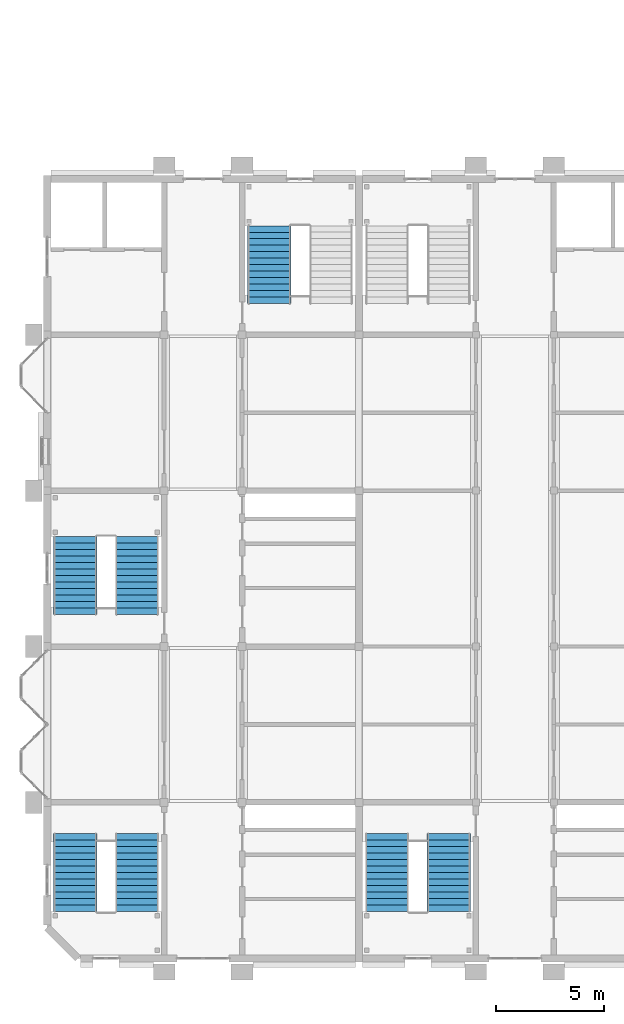
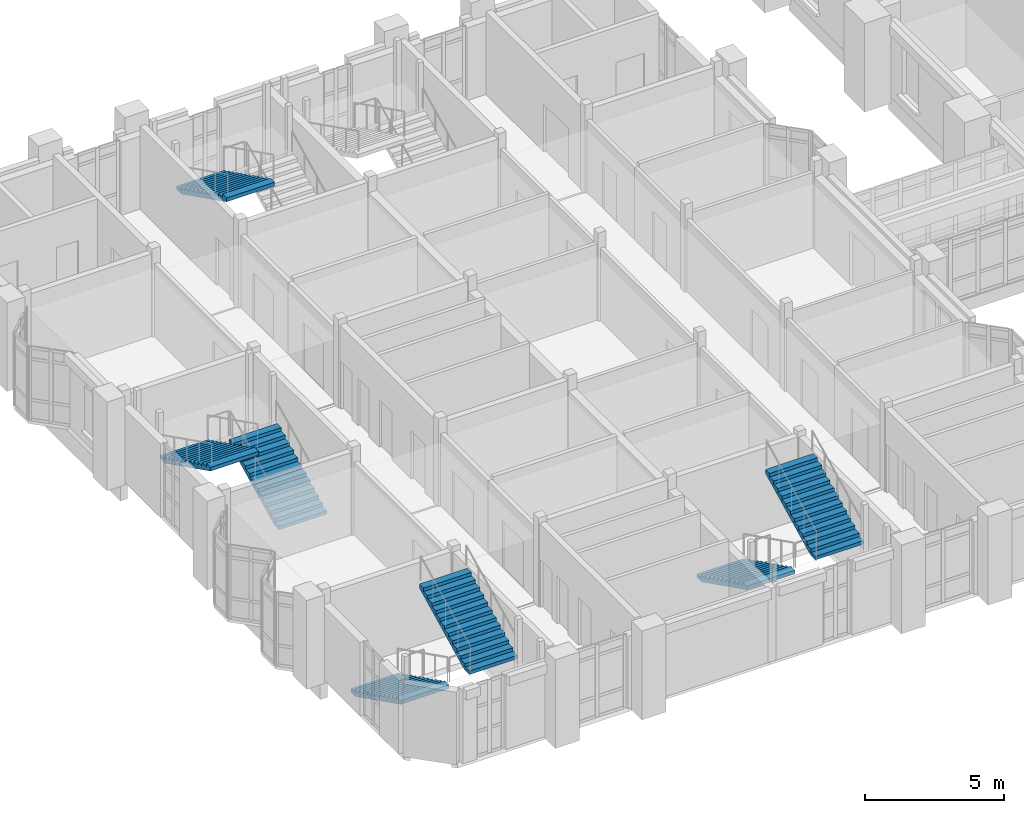
# One storey, part 55 of 69: 7 stair flights, 4 elements without a shape of their own.
"""IFC4 building model written with IfcOpenShell, lengths in metres."""

from ifc_helpers import new_model, si_unit, direction, frame, origin, place, context, subcontext, project, spatial, faceted_brep, material, type_object, element, aggregate, save


model = new_model("IFC4")

# Units and contexts
model_context = context("Model", 3, precision=1e-05, world=origin(), true_north=direction((0.0, 1.0)))
body_context = subcontext(model_context, "Body", "Model", "MODEL_VIEW")
ifc_project = project(units=[si_unit("LENGTHUNIT", "METRE"), si_unit("AREAUNIT", "SQUARE_METRE"), si_unit("VOLUMEUNIT", "CUBIC_METRE"), si_unit("PLANEANGLEUNIT", "RADIAN"), si_unit("MASSUNIT", "GRAM", prefix="KILO")], contexts=[model_context])

# Site, building, storey
site_placement = place(None, origin())
site = spatial("IfcSite", under=ifc_project, at=site_placement, CompositionType="ELEMENT")
building_placement = place(site_placement, origin())
building = spatial("IfcBuilding", under=site, at=building_placement, Name="Mazhai Court Health Centre", CompositionType="ELEMENT")
storey_placement = place(building_placement, frame((0.0, 0.0, 6.300048828125)))
storey = spatial("IfcBuildingStorey", under=building, at=storey_placement, Name="L01", CompositionType="ELEMENT", Elevation=6.300048828125)

# Stair, stair flights
ifc_material_1 = material(Name="Concrete M40", Category="concrete")
stair_type = type_object("IfcStairType", Name="RC STAIR 2000 26R", PredefinedType="DOUBLE_RETURN_STAIR", material=ifc_material_1)
stair_1_placement = place(storey_placement, origin())
stair_1 = element("IfcStair", 1, at=stair_1_placement, inside=storey, type_object=stair_type, Name="L01 Stair 1", PredefinedType="HALF_TURN_STAIR")
ifc_material_2 = material(Name="Concrete M40", Category="concrete")
stair_flight_type = type_object("IfcStairFlightType", Name="RC STAIR FLIGHT 13R 2000", PredefinedType="STRAIGHT", material=ifc_material_2)
stair_flight_1_placement = place(storey_placement, frame((7.4951171875, 11.965087890625, 0.0), z_axis=(0.0, 0.0, 1.0), x_axis=(0.0, -1.0, 0.0)))
stair_flight_1 = element("IfcStairFlight", 2, at=stair_flight_1_placement, type_object=stair_flight_type, Name="ST1 flight 1", NumberOfRisers=13, NumberOfTreads=12, PredefinedType="STRAIGHT", RiserHeight=0.15, TreadLength=0.3, context=body_context, shape_type="Brep", body=[
    faceted_brep([(0.0, 1.0, 0.0), (0.0, 1.0, 0.14990234375), (0.300048828125, 1.0, 0.14990234375), (0.300048828125, 1.0, 0.300048828125), (0.60009765625, 1.0, 0.300048828125), (0.60009765625, 1.0, 0.449951171875), (0.89990234375, 1.0, 0.449951171875), (0.89990234375, 1.0, 0.60009765625), (1.199951171875, 1.0, 0.60009765625), (1.199951171875, 1.0, 0.75), (1.5, 1.0, 0.75), (1.5, 1.0, 0.89990234375), (1.800048828125, 1.0, 0.89990234375), (1.800048828125, 1.0, 1.050048828125), (2.10009765625, 1.0, 1.050048828125), (2.10009765625, 1.0, 1.199951171875), (2.39990234375, 1.0, 1.199951171875), (2.39990234375, 1.0, 1.35009765625), (2.699951171875, 1.0, 1.35009765625), (2.699951171875, 1.0, 1.5), (3.0, 1.0, 1.5), (3.0, 1.0, 1.64990234375), (3.300048828125, 1.0, 1.64990234375), (3.300048828125, 1.0, 1.800048828125), (3.60009765625, 1.0, 1.800048828125), (3.60009765625, 1.0, 1.63232421875), (0.335205078125, 1.0, 0.0), (0.335205078125, -1.0, 0.0), (3.60009765625, -1.0, 1.63232421875), (3.60009765625, -1.0, 1.800048828125), (3.300048828125, -1.0, 1.800048828125), (3.300048828125, -1.0, 1.64990234375), (3.0, -1.0, 1.64990234375), (3.0, -1.0, 1.5), (2.699951171875, -1.0, 1.5), (2.699951171875, -1.0, 1.35009765625), (2.39990234375, -1.0, 1.35009765625), (2.39990234375, -1.0, 1.199951171875), (2.10009765625, -1.0, 1.199951171875), (2.10009765625, -1.0, 1.050048828125), (1.800048828125, -1.0, 1.050048828125), (1.800048828125, -1.0, 0.89990234375), (1.5, -1.0, 0.89990234375), (1.5, -1.0, 0.75), (1.199951171875, -1.0, 0.75), (1.199951171875, -1.0, 0.60009765625), (0.89990234375, -1.0, 0.60009765625), (0.89990234375, -1.0, 0.449951171875), (0.60009765625, -1.0, 0.449951171875), (0.60009765625, -1.0, 0.300048828125), (0.300048828125, -1.0, 0.300048828125), (0.300048828125, -1.0, 0.14990234375), (0.0, -1.0, 0.14990234375), (0.0, -1.0, 0.0), (0.0, 0.0, 0.0), (0.0, 0.0, 0.14990234375), (0.300048828125, 0.0, 0.14990234375), (0.300048828125, 0.0, 0.300048828125), (0.60009765625, 0.0, 0.300048828125), (0.60009765625, 0.0, 0.449951171875), (0.89990234375, 0.0, 0.449951171875), (0.89990234375, 0.0, 0.60009765625), (1.199951171875, 0.0, 0.60009765625), (1.199951171875, 0.0, 0.75), (1.5, 0.0, 0.75), (1.5, 0.0, 0.89990234375), (1.800048828125, 0.0, 0.89990234375), (1.800048828125, 0.0, 1.050048828125), (2.10009765625, 0.0, 1.050048828125), (2.10009765625, 0.0, 1.199951171875), (2.39990234375, 0.0, 1.199951171875), (2.39990234375, 0.0, 1.35009765625), (2.699951171875, 0.0, 1.35009765625), (2.699951171875, 0.0, 1.5), (3.0, 0.0, 1.5), (3.0, 0.0, 1.64990234375), (3.300048828125, 0.0, 1.64990234375), (3.300048828125, 0.0, 1.800048828125), (3.60009765625, 0.0, 1.800048828125), (3.60009765625, 0.0, 1.63232421875), (0.335205078125, 0.0, 0.0)], [[[0, 1, 2, 3, 4, 5, 6, 7, 8, 9, 10, 11, 12, 13, 14, 15, 16, 17, 18, 19, 20, 21, 22, 23, 24, 25, 26]], [[27, 28, 29, 30, 31, 32, 33, 34, 35, 36, 37, 38, 39, 40, 41, 42, 43, 44, 45, 46, 47, 48, 49, 50, 51, 52, 53]], [[54, 55, 1, 0]], [[53, 52, 55, 54]], [[55, 56, 2, 1]], [[52, 51, 56, 55]], [[56, 57, 3, 2]], [[51, 50, 57, 56]], [[57, 58, 4, 3]], [[50, 49, 58, 57]], [[58, 59, 5, 4]], [[49, 48, 59, 58]], [[59, 60, 6, 5]], [[48, 47, 60, 59]], [[60, 61, 7, 6]], [[47, 46, 61, 60]], [[61, 62, 8, 7]], [[46, 45, 62, 61]], [[62, 63, 9, 8]], [[45, 44, 63, 62]], [[63, 64, 10, 9]], [[44, 43, 64, 63]], [[64, 65, 11, 10]], [[43, 42, 65, 64]], [[65, 66, 12, 11]], [[42, 41, 66, 65]], [[66, 67, 13, 12]], [[41, 40, 67, 66]], [[67, 68, 14, 13]], [[40, 39, 68, 67]], [[68, 69, 15, 14]], [[39, 38, 69, 68]], [[69, 70, 16, 15]], [[38, 37, 70, 69]], [[70, 71, 17, 16]], [[37, 36, 71, 70]], [[71, 72, 18, 17]], [[36, 35, 72, 71]], [[72, 73, 19, 18]], [[35, 34, 73, 72]], [[73, 74, 20, 19]], [[34, 33, 74, 73]], [[74, 75, 21, 20]], [[33, 32, 75, 74]], [[75, 76, 22, 21]], [[32, 31, 76, 75]], [[76, 77, 23, 22]], [[31, 30, 77, 76]], [[77, 78, 24, 23]], [[30, 29, 78, 77]], [[78, 79, 25, 24]], [[29, 28, 79, 78]], [[79, 80, 26, 25]], [[28, 27, 80, 79]], [[80, 54, 0, 26]], [[27, 53, 54, 80]]]),
])
stair_flight_2_placement = place(storey_placement, frame((10.344970703125, 8.364990234375, 1.949951171875), z_axis=(0.0, 0.0, 1.0), x_axis=(0.0, 1.0, 0.0)))
stair_flight_2 = element("IfcStairFlight", 3, at=stair_flight_2_placement, type_object=stair_flight_type, Name="ST1 flight 2", NumberOfRisers=13, NumberOfTreads=12, PredefinedType="STRAIGHT", RiserHeight=0.15, TreadLength=0.3, context=body_context, shape_type="Brep", body=[
    faceted_brep([(0.0, 1.0, 0.0), (0.0, 1.0, 0.14990234375), (0.300048828125, 1.0, 0.14990234375), (0.300048828125, 1.0, 0.300048828125), (0.60009765625, 1.0, 0.300048828125), (0.60009765625, 1.0, 0.449951171875), (0.89990234375, 1.0, 0.449951171875), (0.89990234375, 1.0, 0.60009765625), (1.199951171875, 1.0, 0.60009765625), (1.199951171875, 1.0, 0.75), (1.5, 1.0, 0.75), (1.5, 1.0, 0.89990234375), (1.800048828125, 1.0, 0.89990234375), (1.800048828125, 1.0, 1.050048828125), (2.10009765625, 1.0, 1.050048828125), (2.10009765625, 1.0, 1.199951171875), (2.39990234375, 1.0, 1.199951171875), (2.39990234375, 1.0, 1.35009765625), (2.699951171875, 1.0, 1.35009765625), (2.699951171875, 1.0, 1.5), (3.0, 1.0, 1.5), (3.0, 1.0, 1.64990234375), (3.300048828125, 1.0, 1.64990234375), (3.300048828125, 1.0, 1.800048828125), (3.60009765625, 1.0, 1.800048828125), (3.60009765625, 1.0, 1.63232421875), (0.335205078125, 1.0, 0.0), (0.335205078125, -1.0, 0.0), (3.60009765625, -1.0, 1.63232421875), (3.60009765625, -1.0, 1.800048828125), (3.300048828125, -1.0, 1.800048828125), (3.300048828125, -1.0, 1.64990234375), (3.0, -1.0, 1.64990234375), (3.0, -1.0, 1.5), (2.699951171875, -1.0, 1.5), (2.699951171875, -1.0, 1.35009765625), (2.39990234375, -1.0, 1.35009765625), (2.39990234375, -1.0, 1.199951171875), (2.10009765625, -1.0, 1.199951171875), (2.10009765625, -1.0, 1.050048828125), (1.800048828125, -1.0, 1.050048828125), (1.800048828125, -1.0, 0.89990234375), (1.5, -1.0, 0.89990234375), (1.5, -1.0, 0.75), (1.199951171875, -1.0, 0.75), (1.199951171875, -1.0, 0.60009765625), (0.89990234375, -1.0, 0.60009765625), (0.89990234375, -1.0, 0.449951171875), (0.60009765625, -1.0, 0.449951171875), (0.60009765625, -1.0, 0.300048828125), (0.300048828125, -1.0, 0.300048828125), (0.300048828125, -1.0, 0.14990234375), (0.0, -1.0, 0.14990234375), (0.0, -1.0, 0.0), (0.0, 0.0, 0.0), (0.0, 0.0, 0.14990234375), (0.300048828125, 0.0, 0.14990234375), (0.300048828125, 0.0, 0.300048828125), (0.60009765625, 0.0, 0.300048828125), (0.60009765625, 0.0, 0.449951171875), (0.89990234375, 0.0, 0.449951171875), (0.89990234375, 0.0, 0.60009765625), (1.199951171875, 0.0, 0.60009765625), (1.199951171875, 0.0, 0.75), (1.5, 0.0, 0.75), (1.5, 0.0, 0.89990234375), (1.800048828125, 0.0, 0.89990234375), (1.800048828125, 0.0, 1.050048828125), (2.10009765625, 0.0, 1.050048828125), (2.10009765625, 0.0, 1.199951171875), (2.39990234375, 0.0, 1.199951171875), (2.39990234375, 0.0, 1.35009765625), (2.699951171875, 0.0, 1.35009765625), (2.699951171875, 0.0, 1.5), (3.0, 0.0, 1.5), (3.0, 0.0, 1.64990234375), (3.300048828125, 0.0, 1.64990234375), (3.300048828125, 0.0, 1.800048828125), (3.60009765625, 0.0, 1.800048828125), (3.60009765625, 0.0, 1.63232421875), (0.335205078125, 0.0, 0.0)], [[[0, 1, 2, 3, 4, 5, 6, 7, 8, 9, 10, 11, 12, 13, 14, 15, 16, 17, 18, 19, 20, 21, 22, 23, 24, 25, 26]], [[27, 28, 29, 30, 31, 32, 33, 34, 35, 36, 37, 38, 39, 40, 41, 42, 43, 44, 45, 46, 47, 48, 49, 50, 51, 52, 53]], [[54, 55, 1, 0]], [[53, 52, 55, 54]], [[55, 56, 2, 1]], [[52, 51, 56, 55]], [[56, 57, 3, 2]], [[51, 50, 57, 56]], [[57, 58, 4, 3]], [[50, 49, 58, 57]], [[58, 59, 5, 4]], [[49, 48, 59, 58]], [[59, 60, 6, 5]], [[48, 47, 60, 59]], [[60, 61, 7, 6]], [[47, 46, 61, 60]], [[61, 62, 8, 7]], [[46, 45, 62, 61]], [[62, 63, 9, 8]], [[45, 44, 63, 62]], [[63, 64, 10, 9]], [[44, 43, 64, 63]], [[64, 65, 11, 10]], [[43, 42, 65, 64]], [[65, 66, 12, 11]], [[42, 41, 66, 65]], [[66, 67, 13, 12]], [[41, 40, 67, 66]], [[67, 68, 14, 13]], [[40, 39, 68, 67]], [[68, 69, 15, 14]], [[39, 38, 69, 68]], [[69, 70, 16, 15]], [[38, 37, 70, 69]], [[70, 71, 17, 16]], [[37, 36, 71, 70]], [[71, 72, 18, 17]], [[36, 35, 72, 71]], [[72, 73, 19, 18]], [[35, 34, 73, 72]], [[73, 74, 20, 19]], [[34, 33, 74, 73]], [[74, 75, 21, 20]], [[33, 32, 75, 74]], [[75, 76, 22, 21]], [[32, 31, 76, 75]], [[76, 77, 23, 22]], [[31, 30, 77, 76]], [[77, 78, 24, 23]], [[30, 29, 78, 77]], [[78, 79, 25, 24]], [[29, 28, 79, 78]], [[79, 80, 26, 25]], [[28, 27, 80, 79]], [[80, 54, 0, 26]], [[27, 53, 54, 80]]]),
])
aggregate(stair_1, [stair_flight_1, stair_flight_2])

stair_2_placement = place(storey_placement, origin())
stair_2 = element("IfcStair", 4, at=stair_2_placement, inside=storey, type_object=stair_type, Name="L01 Stair 2", PredefinedType="HALF_TURN_STAIR")
stair_flight_3_placement = place(storey_placement, frame((10.344970703125, 22.074951171875, 0.0), z_axis=(0.0, 0.0, 1.0), x_axis=(0.0, 1.0, 0.0)))
stair_flight_3 = element("IfcStairFlight", 5, at=stair_flight_3_placement, type_object=stair_flight_type, Name="ST2 flight 1", NumberOfRisers=13, NumberOfTreads=12, PredefinedType="STRAIGHT", RiserHeight=0.15, TreadLength=0.3, context=body_context, shape_type="Brep", body=[
    faceted_brep([(0.0, 1.0, 0.0), (0.0, 1.0, 0.14990234375), (0.300048828125, 1.0, 0.14990234375), (0.300048828125, 1.0, 0.300048828125), (0.60009765625, 1.0, 0.300048828125), (0.60009765625, 1.0, 0.449951171875), (0.89990234375, 1.0, 0.449951171875), (0.89990234375, 1.0, 0.60009765625), (1.199951171875, 1.0, 0.60009765625), (1.199951171875, 1.0, 0.75), (1.5, 1.0, 0.75), (1.5, 1.0, 0.89990234375), (1.800048828125, 1.0, 0.89990234375), (1.800048828125, 1.0, 1.050048828125), (2.10009765625, 1.0, 1.050048828125), (2.10009765625, 1.0, 1.199951171875), (2.39990234375, 1.0, 1.199951171875), (2.39990234375, 1.0, 1.35009765625), (2.699951171875, 1.0, 1.35009765625), (2.699951171875, 1.0, 1.5), (3.0, 1.0, 1.5), (3.0, 1.0, 1.64990234375), (3.300048828125, 1.0, 1.64990234375), (3.300048828125, 1.0, 1.800048828125), (3.60009765625, 1.0, 1.800048828125), (3.60009765625, 1.0, 1.63232421875), (0.335205078125, 1.0, 0.0), (0.335205078125, -1.0, 0.0), (3.60009765625, -1.0, 1.63232421875), (3.60009765625, -1.0, 1.800048828125), (3.300048828125, -1.0, 1.800048828125), (3.300048828125, -1.0, 1.64990234375), (3.0, -1.0, 1.64990234375), (3.0, -1.0, 1.5), (2.699951171875, -1.0, 1.5), (2.699951171875, -1.0, 1.35009765625), (2.39990234375, -1.0, 1.35009765625), (2.39990234375, -1.0, 1.199951171875), (2.10009765625, -1.0, 1.199951171875), (2.10009765625, -1.0, 1.050048828125), (1.800048828125, -1.0, 1.050048828125), (1.800048828125, -1.0, 0.89990234375), (1.5, -1.0, 0.89990234375), (1.5, -1.0, 0.75), (1.199951171875, -1.0, 0.75), (1.199951171875, -1.0, 0.60009765625), (0.89990234375, -1.0, 0.60009765625), (0.89990234375, -1.0, 0.449951171875), (0.60009765625, -1.0, 0.449951171875), (0.60009765625, -1.0, 0.300048828125), (0.300048828125, -1.0, 0.300048828125), (0.300048828125, -1.0, 0.14990234375), (0.0, -1.0, 0.14990234375), (0.0, -1.0, 0.0), (0.0, 0.0, 0.0), (0.0, 0.0, 0.14990234375), (0.300048828125, 0.0, 0.14990234375), (0.300048828125, 0.0, 0.300048828125), (0.60009765625, 0.0, 0.300048828125), (0.60009765625, 0.0, 0.449951171875), (0.89990234375, 0.0, 0.449951171875), (0.89990234375, 0.0, 0.60009765625), (1.199951171875, 0.0, 0.60009765625), (1.199951171875, 0.0, 0.75), (1.5, 0.0, 0.75), (1.5, 0.0, 0.89990234375), (1.800048828125, 0.0, 0.89990234375), (1.800048828125, 0.0, 1.050048828125), (2.10009765625, 0.0, 1.050048828125), (2.10009765625, 0.0, 1.199951171875), (2.39990234375, 0.0, 1.199951171875), (2.39990234375, 0.0, 1.35009765625), (2.699951171875, 0.0, 1.35009765625), (2.699951171875, 0.0, 1.5), (3.0, 0.0, 1.5), (3.0, 0.0, 1.64990234375), (3.300048828125, 0.0, 1.64990234375), (3.300048828125, 0.0, 1.800048828125), (3.60009765625, 0.0, 1.800048828125), (3.60009765625, 0.0, 1.63232421875), (0.335205078125, 0.0, 0.0)], [[[0, 1, 2, 3, 4, 5, 6, 7, 8, 9, 10, 11, 12, 13, 14, 15, 16, 17, 18, 19, 20, 21, 22, 23, 24, 25, 26]], [[27, 28, 29, 30, 31, 32, 33, 34, 35, 36, 37, 38, 39, 40, 41, 42, 43, 44, 45, 46, 47, 48, 49, 50, 51, 52, 53]], [[54, 55, 1, 0]], [[53, 52, 55, 54]], [[55, 56, 2, 1]], [[52, 51, 56, 55]], [[56, 57, 3, 2]], [[51, 50, 57, 56]], [[57, 58, 4, 3]], [[50, 49, 58, 57]], [[58, 59, 5, 4]], [[49, 48, 59, 58]], [[59, 60, 6, 5]], [[48, 47, 60, 59]], [[60, 61, 7, 6]], [[47, 46, 61, 60]], [[61, 62, 8, 7]], [[46, 45, 62, 61]], [[62, 63, 9, 8]], [[45, 44, 63, 62]], [[63, 64, 10, 9]], [[44, 43, 64, 63]], [[64, 65, 11, 10]], [[43, 42, 65, 64]], [[65, 66, 12, 11]], [[42, 41, 66, 65]], [[66, 67, 13, 12]], [[41, 40, 67, 66]], [[67, 68, 14, 13]], [[40, 39, 68, 67]], [[68, 69, 15, 14]], [[39, 38, 69, 68]], [[69, 70, 16, 15]], [[38, 37, 70, 69]], [[70, 71, 17, 16]], [[37, 36, 71, 70]], [[71, 72, 18, 17]], [[36, 35, 72, 71]], [[72, 73, 19, 18]], [[35, 34, 73, 72]], [[73, 74, 20, 19]], [[34, 33, 74, 73]], [[74, 75, 21, 20]], [[33, 32, 75, 74]], [[75, 76, 22, 21]], [[32, 31, 76, 75]], [[76, 77, 23, 22]], [[31, 30, 77, 76]], [[77, 78, 24, 23]], [[30, 29, 78, 77]], [[78, 79, 25, 24]], [[29, 28, 79, 78]], [[79, 80, 26, 25]], [[28, 27, 80, 79]], [[80, 54, 0, 26]], [[27, 53, 54, 80]]]),
])
stair_flight_4_placement = place(storey_placement, frame((7.4951171875, 25.675048828125, 1.949951171875), z_axis=(0.0, 0.0, 1.0), x_axis=(0.0, -1.0, 0.0)))
stair_flight_4 = element("IfcStairFlight", 6, at=stair_flight_4_placement, type_object=stair_flight_type, Name="ST2 flight 2", NumberOfRisers=13, NumberOfTreads=12, PredefinedType="STRAIGHT", RiserHeight=0.15, TreadLength=0.3, context=body_context, shape_type="Brep", body=[
    faceted_brep([(0.0, 1.0, 0.0), (0.0, 1.0, 0.14990234375), (0.300048828125, 1.0, 0.14990234375), (0.300048828125, 1.0, 0.300048828125), (0.60009765625, 1.0, 0.300048828125), (0.60009765625, 1.0, 0.449951171875), (0.89990234375, 1.0, 0.449951171875), (0.89990234375, 1.0, 0.60009765625), (1.199951171875, 1.0, 0.60009765625), (1.199951171875, 1.0, 0.75), (1.5, 1.0, 0.75), (1.5, 1.0, 0.89990234375), (1.800048828125, 1.0, 0.89990234375), (1.800048828125, 1.0, 1.050048828125), (2.10009765625, 1.0, 1.050048828125), (2.10009765625, 1.0, 1.199951171875), (2.39990234375, 1.0, 1.199951171875), (2.39990234375, 1.0, 1.35009765625), (2.699951171875, 1.0, 1.35009765625), (2.699951171875, 1.0, 1.5), (3.0, 1.0, 1.5), (3.0, 1.0, 1.64990234375), (3.300048828125, 1.0, 1.64990234375), (3.300048828125, 1.0, 1.800048828125), (3.60009765625, 1.0, 1.800048828125), (3.60009765625, 1.0, 1.63232421875), (0.335205078125, 1.0, 0.0), (0.335205078125, -1.0, 0.0), (3.60009765625, -1.0, 1.63232421875), (3.60009765625, -1.0, 1.800048828125), (3.300048828125, -1.0, 1.800048828125), (3.300048828125, -1.0, 1.64990234375), (3.0, -1.0, 1.64990234375), (3.0, -1.0, 1.5), (2.699951171875, -1.0, 1.5), (2.699951171875, -1.0, 1.35009765625), (2.39990234375, -1.0, 1.35009765625), (2.39990234375, -1.0, 1.199951171875), (2.10009765625, -1.0, 1.199951171875), (2.10009765625, -1.0, 1.050048828125), (1.800048828125, -1.0, 1.050048828125), (1.800048828125, -1.0, 0.89990234375), (1.5, -1.0, 0.89990234375), (1.5, -1.0, 0.75), (1.199951171875, -1.0, 0.75), (1.199951171875, -1.0, 0.60009765625), (0.89990234375, -1.0, 0.60009765625), (0.89990234375, -1.0, 0.449951171875), (0.60009765625, -1.0, 0.449951171875), (0.60009765625, -1.0, 0.300048828125), (0.300048828125, -1.0, 0.300048828125), (0.300048828125, -1.0, 0.14990234375), (0.0, -1.0, 0.14990234375), (0.0, -1.0, 0.0), (0.0, 0.0, 0.0), (0.0, 0.0, 0.14990234375), (0.300048828125, 0.0, 0.14990234375), (0.300048828125, 0.0, 0.300048828125), (0.60009765625, 0.0, 0.300048828125), (0.60009765625, 0.0, 0.449951171875), (0.89990234375, 0.0, 0.449951171875), (0.89990234375, 0.0, 0.60009765625), (1.199951171875, 0.0, 0.60009765625), (1.199951171875, 0.0, 0.75), (1.5, 0.0, 0.75), (1.5, 0.0, 0.89990234375), (1.800048828125, 0.0, 0.89990234375), (1.800048828125, 0.0, 1.050048828125), (2.10009765625, 0.0, 1.050048828125), (2.10009765625, 0.0, 1.199951171875), (2.39990234375, 0.0, 1.199951171875), (2.39990234375, 0.0, 1.35009765625), (2.699951171875, 0.0, 1.35009765625), (2.699951171875, 0.0, 1.5), (3.0, 0.0, 1.5), (3.0, 0.0, 1.64990234375), (3.300048828125, 0.0, 1.64990234375), (3.300048828125, 0.0, 1.800048828125), (3.60009765625, 0.0, 1.800048828125), (3.60009765625, 0.0, 1.63232421875), (0.335205078125, 0.0, 0.0)], [[[0, 1, 2, 3, 4, 5, 6, 7, 8, 9, 10, 11, 12, 13, 14, 15, 16, 17, 18, 19, 20, 21, 22, 23, 24, 25, 26]], [[27, 28, 29, 30, 31, 32, 33, 34, 35, 36, 37, 38, 39, 40, 41, 42, 43, 44, 45, 46, 47, 48, 49, 50, 51, 52, 53]], [[54, 55, 1, 0]], [[53, 52, 55, 54]], [[55, 56, 2, 1]], [[52, 51, 56, 55]], [[56, 57, 3, 2]], [[51, 50, 57, 56]], [[57, 58, 4, 3]], [[50, 49, 58, 57]], [[58, 59, 5, 4]], [[49, 48, 59, 58]], [[59, 60, 6, 5]], [[48, 47, 60, 59]], [[60, 61, 7, 6]], [[47, 46, 61, 60]], [[61, 62, 8, 7]], [[46, 45, 62, 61]], [[62, 63, 9, 8]], [[45, 44, 63, 62]], [[63, 64, 10, 9]], [[44, 43, 64, 63]], [[64, 65, 11, 10]], [[43, 42, 65, 64]], [[65, 66, 12, 11]], [[42, 41, 66, 65]], [[66, 67, 13, 12]], [[41, 40, 67, 66]], [[67, 68, 14, 13]], [[40, 39, 68, 67]], [[68, 69, 15, 14]], [[39, 38, 69, 68]], [[69, 70, 16, 15]], [[38, 37, 70, 69]], [[70, 71, 17, 16]], [[37, 36, 71, 70]], [[71, 72, 18, 17]], [[36, 35, 72, 71]], [[72, 73, 19, 18]], [[35, 34, 73, 72]], [[73, 74, 20, 19]], [[34, 33, 74, 73]], [[74, 75, 21, 20]], [[33, 32, 75, 74]], [[75, 76, 22, 21]], [[32, 31, 76, 75]], [[76, 77, 23, 22]], [[31, 30, 77, 76]], [[77, 78, 24, 23]], [[30, 29, 78, 77]], [[78, 79, 25, 24]], [[29, 28, 79, 78]], [[79, 80, 26, 25]], [[28, 27, 80, 79]], [[80, 54, 0, 26]], [[27, 53, 54, 80]]]),
])
aggregate(stair_2, [stair_flight_3, stair_flight_4])

# Stair, stair flight
stair_3_placement = place(storey_placement, origin())
stair_3 = element("IfcStair", 7, at=stair_3_placement, inside=storey, type_object=stair_type, Name="L01 Stair 3", PredefinedType="HALF_TURN_STAIR")
stair_flight_5_placement = place(storey_placement, frame((16.455078125, 40.034912109375, 1.949951171875), z_axis=(0.0, 0.0, 1.0), x_axis=(0.0, -1.0, 0.0)))
stair_flight_5 = element("IfcStairFlight", 8, at=stair_flight_5_placement, type_object=stair_flight_type, Name="ST3 flight 2", NumberOfRisers=13, NumberOfTreads=12, PredefinedType="STRAIGHT", RiserHeight=0.15, TreadLength=0.3, context=body_context, shape_type="Brep", body=[
    faceted_brep([(0.0, 1.0, 0.0), (0.0, 1.0, 0.14990234375), (0.300048828125, 1.0, 0.14990234375), (0.300048828125, 1.0, 0.300048828125), (0.60009765625, 1.0, 0.300048828125), (0.60009765625, 1.0, 0.449951171875), (0.89990234375, 1.0, 0.449951171875), (0.89990234375, 1.0, 0.60009765625), (1.199951171875, 1.0, 0.60009765625), (1.199951171875, 1.0, 0.75), (1.5, 1.0, 0.75), (1.5, 1.0, 0.89990234375), (1.800048828125, 1.0, 0.89990234375), (1.800048828125, 1.0, 1.050048828125), (2.10009765625, 1.0, 1.050048828125), (2.10009765625, 1.0, 1.199951171875), (2.39990234375, 1.0, 1.199951171875), (2.39990234375, 1.0, 1.35009765625), (2.699951171875, 1.0, 1.35009765625), (2.699951171875, 1.0, 1.5), (3.0, 1.0, 1.5), (3.0, 1.0, 1.64990234375), (3.300048828125, 1.0, 1.64990234375), (3.300048828125, 1.0, 1.800048828125), (3.60009765625, 1.0, 1.800048828125), (3.60009765625, 1.0, 1.63232421875), (0.335205078125, 1.0, 0.0), (0.335205078125, -1.0, 0.0), (3.60009765625, -1.0, 1.63232421875), (3.60009765625, -1.0, 1.800048828125), (3.300048828125, -1.0, 1.800048828125), (3.300048828125, -1.0, 1.64990234375), (3.0, -1.0, 1.64990234375), (3.0, -1.0, 1.5), (2.699951171875, -1.0, 1.5), (2.699951171875, -1.0, 1.35009765625), (2.39990234375, -1.0, 1.35009765625), (2.39990234375, -1.0, 1.199951171875), (2.10009765625, -1.0, 1.199951171875), (2.10009765625, -1.0, 1.050048828125), (1.800048828125, -1.0, 1.050048828125), (1.800048828125, -1.0, 0.89990234375), (1.5, -1.0, 0.89990234375), (1.5, -1.0, 0.75), (1.199951171875, -1.0, 0.75), (1.199951171875, -1.0, 0.60009765625), (0.89990234375, -1.0, 0.60009765625), (0.89990234375, -1.0, 0.449951171875), (0.60009765625, -1.0, 0.449951171875), (0.60009765625, -1.0, 0.300048828125), (0.300048828125, -1.0, 0.300048828125), (0.300048828125, -1.0, 0.14990234375), (0.0, -1.0, 0.14990234375), (0.0, -1.0, 0.0), (0.0, 0.0, 0.0), (0.0, 0.0, 0.14990234375), (0.300048828125, 0.0, 0.14990234375), (0.300048828125, 0.0, 0.300048828125), (0.60009765625, 0.0, 0.300048828125), (0.60009765625, 0.0, 0.449951171875), (0.89990234375, 0.0, 0.449951171875), (0.89990234375, 0.0, 0.60009765625), (1.199951171875, 0.0, 0.60009765625), (1.199951171875, 0.0, 0.75), (1.5, 0.0, 0.75), (1.5, 0.0, 0.89990234375), (1.800048828125, 0.0, 0.89990234375), (1.800048828125, 0.0, 1.050048828125), (2.10009765625, 0.0, 1.050048828125), (2.10009765625, 0.0, 1.199951171875), (2.39990234375, 0.0, 1.199951171875), (2.39990234375, 0.0, 1.35009765625), (2.699951171875, 0.0, 1.35009765625), (2.699951171875, 0.0, 1.5), (3.0, 0.0, 1.5), (3.0, 0.0, 1.64990234375), (3.300048828125, 0.0, 1.64990234375), (3.300048828125, 0.0, 1.800048828125), (3.60009765625, 0.0, 1.800048828125), (3.60009765625, 0.0, 1.63232421875), (0.335205078125, 0.0, 0.0)], [[[0, 1, 2, 3, 4, 5, 6, 7, 8, 9, 10, 11, 12, 13, 14, 15, 16, 17, 18, 19, 20, 21, 22, 23, 24, 25, 26]], [[27, 28, 29, 30, 31, 32, 33, 34, 35, 36, 37, 38, 39, 40, 41, 42, 43, 44, 45, 46, 47, 48, 49, 50, 51, 52, 53]], [[54, 55, 1, 0]], [[53, 52, 55, 54]], [[55, 56, 2, 1]], [[52, 51, 56, 55]], [[56, 57, 3, 2]], [[51, 50, 57, 56]], [[57, 58, 4, 3]], [[50, 49, 58, 57]], [[58, 59, 5, 4]], [[49, 48, 59, 58]], [[59, 60, 6, 5]], [[48, 47, 60, 59]], [[60, 61, 7, 6]], [[47, 46, 61, 60]], [[61, 62, 8, 7]], [[46, 45, 62, 61]], [[62, 63, 9, 8]], [[45, 44, 63, 62]], [[63, 64, 10, 9]], [[44, 43, 64, 63]], [[64, 65, 11, 10]], [[43, 42, 65, 64]], [[65, 66, 12, 11]], [[42, 41, 66, 65]], [[66, 67, 13, 12]], [[41, 40, 67, 66]], [[67, 68, 14, 13]], [[40, 39, 68, 67]], [[68, 69, 15, 14]], [[39, 38, 69, 68]], [[69, 70, 16, 15]], [[38, 37, 70, 69]], [[70, 71, 17, 16]], [[37, 36, 71, 70]], [[71, 72, 18, 17]], [[36, 35, 72, 71]], [[72, 73, 19, 18]], [[35, 34, 73, 72]], [[73, 74, 20, 19]], [[34, 33, 74, 73]], [[74, 75, 21, 20]], [[33, 32, 75, 74]], [[75, 76, 22, 21]], [[32, 31, 76, 75]], [[76, 77, 23, 22]], [[31, 30, 77, 76]], [[77, 78, 24, 23]], [[30, 29, 78, 77]], [[78, 79, 25, 24]], [[29, 28, 79, 78]], [[79, 80, 26, 25]], [[28, 27, 80, 79]], [[80, 54, 0, 26]], [[27, 53, 54, 80]]]),
])
aggregate(stair_3, [stair_flight_5])

# Stair, stair flights
stair_4_placement = place(storey_placement, origin())
stair_4 = element("IfcStair", 9, at=stair_4_placement, inside=storey, type_object=stair_type, Name="L01 Stair 4", PredefinedType="HALF_TURN_STAIR")
stair_flight_6_placement = place(storey_placement, frame((21.89501953125, 11.965087890625, 0.0), z_axis=(0.0, 0.0, 1.0), x_axis=(0.0, -1.0, 0.0)))
stair_flight_6 = element("IfcStairFlight", 10, at=stair_flight_6_placement, type_object=stair_flight_type, Name="ST4 flight 1", NumberOfRisers=13, NumberOfTreads=12, PredefinedType="STRAIGHT", RiserHeight=0.15, TreadLength=0.3, context=body_context, shape_type="Brep", body=[
    faceted_brep([(0.0, 1.0, 0.0), (0.0, 1.0, 0.14990234375), (0.300048828125, 1.0, 0.14990234375), (0.300048828125, 1.0, 0.300048828125), (0.60009765625, 1.0, 0.300048828125), (0.60009765625, 1.0, 0.449951171875), (0.89990234375, 1.0, 0.449951171875), (0.89990234375, 1.0, 0.60009765625), (1.199951171875, 1.0, 0.60009765625), (1.199951171875, 1.0, 0.75), (1.5, 1.0, 0.75), (1.5, 1.0, 0.89990234375), (1.800048828125, 1.0, 0.89990234375), (1.800048828125, 1.0, 1.050048828125), (2.10009765625, 1.0, 1.050048828125), (2.10009765625, 1.0, 1.199951171875), (2.39990234375, 1.0, 1.199951171875), (2.39990234375, 1.0, 1.35009765625), (2.699951171875, 1.0, 1.35009765625), (2.699951171875, 1.0, 1.5), (3.0, 1.0, 1.5), (3.0, 1.0, 1.64990234375), (3.300048828125, 1.0, 1.64990234375), (3.300048828125, 1.0, 1.800048828125), (3.60009765625, 1.0, 1.800048828125), (3.60009765625, 1.0, 1.63232421875), (0.335205078125, 1.0, 0.0), (0.335205078125, -1.0, 0.0), (3.60009765625, -1.0, 1.63232421875), (3.60009765625, -1.0, 1.800048828125), (3.300048828125, -1.0, 1.800048828125), (3.300048828125, -1.0, 1.64990234375), (3.0, -1.0, 1.64990234375), (3.0, -1.0, 1.5), (2.699951171875, -1.0, 1.5), (2.699951171875, -1.0, 1.35009765625), (2.39990234375, -1.0, 1.35009765625), (2.39990234375, -1.0, 1.199951171875), (2.10009765625, -1.0, 1.199951171875), (2.10009765625, -1.0, 1.050048828125), (1.800048828125, -1.0, 1.050048828125), (1.800048828125, -1.0, 0.89990234375), (1.5, -1.0, 0.89990234375), (1.5, -1.0, 0.75), (1.199951171875, -1.0, 0.75), (1.199951171875, -1.0, 0.60009765625), (0.89990234375, -1.0, 0.60009765625), (0.89990234375, -1.0, 0.449951171875), (0.60009765625, -1.0, 0.449951171875), (0.60009765625, -1.0, 0.300048828125), (0.300048828125, -1.0, 0.300048828125), (0.300048828125, -1.0, 0.14990234375), (0.0, -1.0, 0.14990234375), (0.0, -1.0, 0.0), (0.0, 0.0, 0.0), (0.0, 0.0, 0.14990234375), (0.300048828125, 0.0, 0.14990234375), (0.300048828125, 0.0, 0.300048828125), (0.60009765625, 0.0, 0.300048828125), (0.60009765625, 0.0, 0.449951171875), (0.89990234375, 0.0, 0.449951171875), (0.89990234375, 0.0, 0.60009765625), (1.199951171875, 0.0, 0.60009765625), (1.199951171875, 0.0, 0.75), (1.5, 0.0, 0.75), (1.5, 0.0, 0.89990234375), (1.800048828125, 0.0, 0.89990234375), (1.800048828125, 0.0, 1.050048828125), (2.10009765625, 0.0, 1.050048828125), (2.10009765625, 0.0, 1.199951171875), (2.39990234375, 0.0, 1.199951171875), (2.39990234375, 0.0, 1.35009765625), (2.699951171875, 0.0, 1.35009765625), (2.699951171875, 0.0, 1.5), (3.0, 0.0, 1.5), (3.0, 0.0, 1.64990234375), (3.300048828125, 0.0, 1.64990234375), (3.300048828125, 0.0, 1.800048828125), (3.60009765625, 0.0, 1.800048828125), (3.60009765625, 0.0, 1.63232421875), (0.335205078125, 0.0, 0.0)], [[[0, 1, 2, 3, 4, 5, 6, 7, 8, 9, 10, 11, 12, 13, 14, 15, 16, 17, 18, 19, 20, 21, 22, 23, 24, 25, 26]], [[27, 28, 29, 30, 31, 32, 33, 34, 35, 36, 37, 38, 39, 40, 41, 42, 43, 44, 45, 46, 47, 48, 49, 50, 51, 52, 53]], [[54, 55, 1, 0]], [[53, 52, 55, 54]], [[55, 56, 2, 1]], [[52, 51, 56, 55]], [[56, 57, 3, 2]], [[51, 50, 57, 56]], [[57, 58, 4, 3]], [[50, 49, 58, 57]], [[58, 59, 5, 4]], [[49, 48, 59, 58]], [[59, 60, 6, 5]], [[48, 47, 60, 59]], [[60, 61, 7, 6]], [[47, 46, 61, 60]], [[61, 62, 8, 7]], [[46, 45, 62, 61]], [[62, 63, 9, 8]], [[45, 44, 63, 62]], [[63, 64, 10, 9]], [[44, 43, 64, 63]], [[64, 65, 11, 10]], [[43, 42, 65, 64]], [[65, 66, 12, 11]], [[42, 41, 66, 65]], [[66, 67, 13, 12]], [[41, 40, 67, 66]], [[67, 68, 14, 13]], [[40, 39, 68, 67]], [[68, 69, 15, 14]], [[39, 38, 69, 68]], [[69, 70, 16, 15]], [[38, 37, 70, 69]], [[70, 71, 17, 16]], [[37, 36, 71, 70]], [[71, 72, 18, 17]], [[36, 35, 72, 71]], [[72, 73, 19, 18]], [[35, 34, 73, 72]], [[73, 74, 20, 19]], [[34, 33, 74, 73]], [[74, 75, 21, 20]], [[33, 32, 75, 74]], [[75, 76, 22, 21]], [[32, 31, 76, 75]], [[76, 77, 23, 22]], [[31, 30, 77, 76]], [[77, 78, 24, 23]], [[30, 29, 78, 77]], [[78, 79, 25, 24]], [[29, 28, 79, 78]], [[79, 80, 26, 25]], [[28, 27, 80, 79]], [[80, 54, 0, 26]], [[27, 53, 54, 80]]]),
])
stair_flight_7_placement = place(storey_placement, frame((24.7451171875, 8.364990234375, 1.949951171875), z_axis=(0.0, 0.0, 1.0), x_axis=(0.0, 1.0, 0.0)))
stair_flight_7 = element("IfcStairFlight", 11, at=stair_flight_7_placement, type_object=stair_flight_type, Name="ST4 flight 2", NumberOfRisers=13, NumberOfTreads=12, PredefinedType="STRAIGHT", RiserHeight=0.15, TreadLength=0.3, context=body_context, shape_type="Brep", body=[
    faceted_brep([(0.0, 1.0, 0.0), (0.0, 1.0, 0.14990234375), (0.300048828125, 1.0, 0.14990234375), (0.300048828125, 1.0, 0.300048828125), (0.60009765625, 1.0, 0.300048828125), (0.60009765625, 1.0, 0.449951171875), (0.89990234375, 1.0, 0.449951171875), (0.89990234375, 1.0, 0.60009765625), (1.199951171875, 1.0, 0.60009765625), (1.199951171875, 1.0, 0.75), (1.5, 1.0, 0.75), (1.5, 1.0, 0.89990234375), (1.800048828125, 1.0, 0.89990234375), (1.800048828125, 1.0, 1.050048828125), (2.10009765625, 1.0, 1.050048828125), (2.10009765625, 1.0, 1.199951171875), (2.39990234375, 1.0, 1.199951171875), (2.39990234375, 1.0, 1.35009765625), (2.699951171875, 1.0, 1.35009765625), (2.699951171875, 1.0, 1.5), (3.0, 1.0, 1.5), (3.0, 1.0, 1.64990234375), (3.300048828125, 1.0, 1.64990234375), (3.300048828125, 1.0, 1.800048828125), (3.60009765625, 1.0, 1.800048828125), (3.60009765625, 1.0, 1.63232421875), (0.335205078125, 1.0, 0.0), (0.335205078125, -1.0, 0.0), (3.60009765625, -1.0, 1.63232421875), (3.60009765625, -1.0, 1.800048828125), (3.300048828125, -1.0, 1.800048828125), (3.300048828125, -1.0, 1.64990234375), (3.0, -1.0, 1.64990234375), (3.0, -1.0, 1.5), (2.699951171875, -1.0, 1.5), (2.699951171875, -1.0, 1.35009765625), (2.39990234375, -1.0, 1.35009765625), (2.39990234375, -1.0, 1.199951171875), (2.10009765625, -1.0, 1.199951171875), (2.10009765625, -1.0, 1.050048828125), (1.800048828125, -1.0, 1.050048828125), (1.800048828125, -1.0, 0.89990234375), (1.5, -1.0, 0.89990234375), (1.5, -1.0, 0.75), (1.199951171875, -1.0, 0.75), (1.199951171875, -1.0, 0.60009765625), (0.89990234375, -1.0, 0.60009765625), (0.89990234375, -1.0, 0.449951171875), (0.60009765625, -1.0, 0.449951171875), (0.60009765625, -1.0, 0.300048828125), (0.300048828125, -1.0, 0.300048828125), (0.300048828125, -1.0, 0.14990234375), (0.0, -1.0, 0.14990234375), (0.0, -1.0, 0.0), (0.0, 0.0, 0.0), (0.0, 0.0, 0.14990234375), (0.300048828125, 0.0, 0.14990234375), (0.300048828125, 0.0, 0.300048828125), (0.60009765625, 0.0, 0.300048828125), (0.60009765625, 0.0, 0.449951171875), (0.89990234375, 0.0, 0.449951171875), (0.89990234375, 0.0, 0.60009765625), (1.199951171875, 0.0, 0.60009765625), (1.199951171875, 0.0, 0.75), (1.5, 0.0, 0.75), (1.5, 0.0, 0.89990234375), (1.800048828125, 0.0, 0.89990234375), (1.800048828125, 0.0, 1.050048828125), (2.10009765625, 0.0, 1.050048828125), (2.10009765625, 0.0, 1.199951171875), (2.39990234375, 0.0, 1.199951171875), (2.39990234375, 0.0, 1.35009765625), (2.699951171875, 0.0, 1.35009765625), (2.699951171875, 0.0, 1.5), (3.0, 0.0, 1.5), (3.0, 0.0, 1.64990234375), (3.300048828125, 0.0, 1.64990234375), (3.300048828125, 0.0, 1.800048828125), (3.60009765625, 0.0, 1.800048828125), (3.60009765625, 0.0, 1.63232421875), (0.335205078125, 0.0, 0.0)], [[[0, 1, 2, 3, 4, 5, 6, 7, 8, 9, 10, 11, 12, 13, 14, 15, 16, 17, 18, 19, 20, 21, 22, 23, 24, 25, 26]], [[27, 28, 29, 30, 31, 32, 33, 34, 35, 36, 37, 38, 39, 40, 41, 42, 43, 44, 45, 46, 47, 48, 49, 50, 51, 52, 53]], [[54, 55, 1, 0]], [[53, 52, 55, 54]], [[55, 56, 2, 1]], [[52, 51, 56, 55]], [[56, 57, 3, 2]], [[51, 50, 57, 56]], [[57, 58, 4, 3]], [[50, 49, 58, 57]], [[58, 59, 5, 4]], [[49, 48, 59, 58]], [[59, 60, 6, 5]], [[48, 47, 60, 59]], [[60, 61, 7, 6]], [[47, 46, 61, 60]], [[61, 62, 8, 7]], [[46, 45, 62, 61]], [[62, 63, 9, 8]], [[45, 44, 63, 62]], [[63, 64, 10, 9]], [[44, 43, 64, 63]], [[64, 65, 11, 10]], [[43, 42, 65, 64]], [[65, 66, 12, 11]], [[42, 41, 66, 65]], [[66, 67, 13, 12]], [[41, 40, 67, 66]], [[67, 68, 14, 13]], [[40, 39, 68, 67]], [[68, 69, 15, 14]], [[39, 38, 69, 68]], [[69, 70, 16, 15]], [[38, 37, 70, 69]], [[70, 71, 17, 16]], [[37, 36, 71, 70]], [[71, 72, 18, 17]], [[36, 35, 72, 71]], [[72, 73, 19, 18]], [[35, 34, 73, 72]], [[73, 74, 20, 19]], [[34, 33, 74, 73]], [[74, 75, 21, 20]], [[33, 32, 75, 74]], [[75, 76, 22, 21]], [[32, 31, 76, 75]], [[76, 77, 23, 22]], [[31, 30, 77, 76]], [[77, 78, 24, 23]], [[30, 29, 78, 77]], [[78, 79, 25, 24]], [[29, 28, 79, 78]], [[79, 80, 26, 25]], [[28, 27, 80, 79]], [[80, 54, 0, 26]], [[27, 53, 54, 80]]]),
])
aggregate(stair_4, [stair_flight_6, stair_flight_7])

save(model, "model.ifc")
